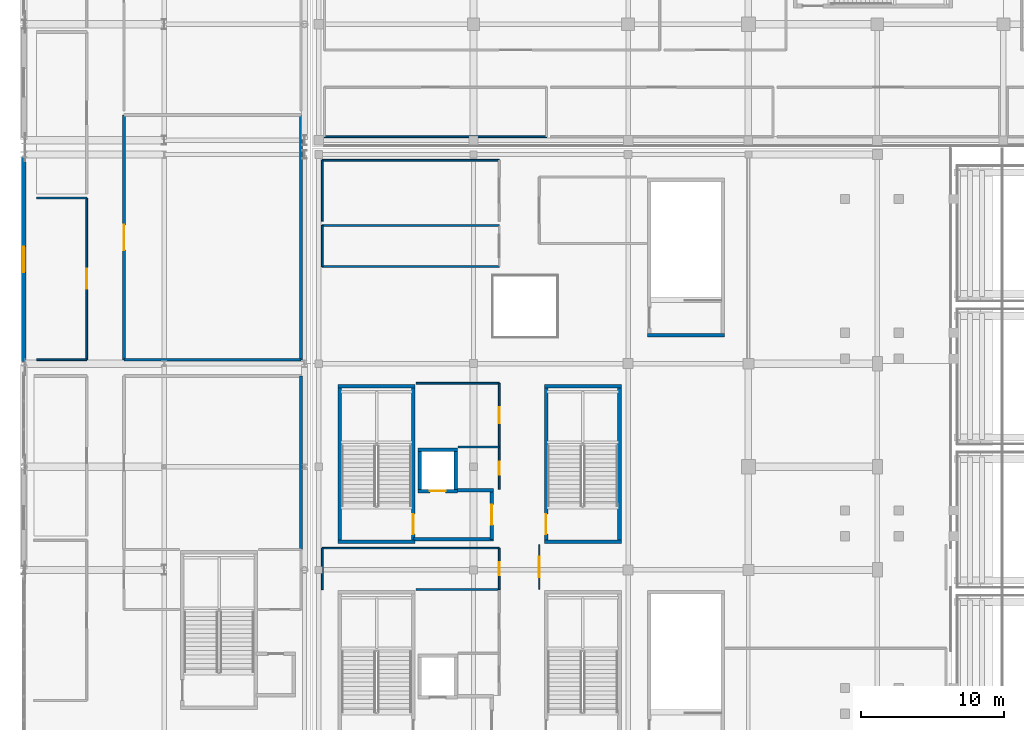
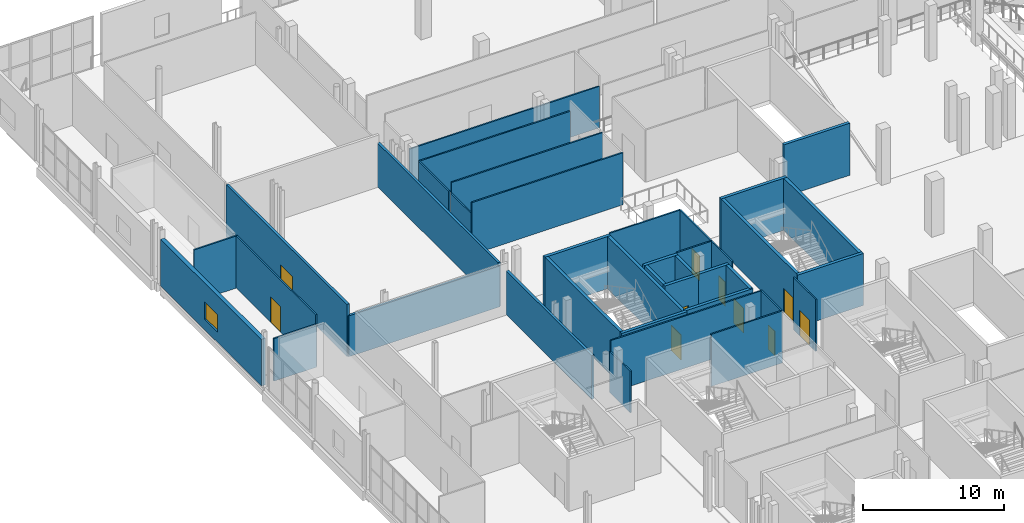
# One storey, part 76 of 129: 39 walls, 10 doors, 1 window, 11 openings.
"""IFC4 building model written with IfcOpenShell, lengths in metres."""

from ifc_helpers import new_model, si_unit, direction, frame, frame_2d, origin, place, context, subcontext, project, spatial, rectangle, extrude, material, layer, layer_set, type_object, element, fill, save


model = new_model("IFC4")

# Units and contexts
model_context = context("Model", 3, precision=1e-05, world=origin(), true_north=direction((0.0, 1.0)))
body_context = subcontext(model_context, "Body", "Model", "MODEL_VIEW")
ifc_project = project(units=[si_unit("LENGTHUNIT", "METRE"), si_unit("AREAUNIT", "SQUARE_METRE"), si_unit("VOLUMEUNIT", "CUBIC_METRE"), si_unit("PLANEANGLEUNIT", "RADIAN"), si_unit("MASSUNIT", "GRAM", prefix="KILO")], contexts=[model_context])

# Site, building, storey
site_placement = place(None, origin())
site = spatial("IfcSite", under=ifc_project, at=site_placement, CompositionType="ELEMENT")
building_placement = place(site_placement, origin())
building = spatial("IfcBuilding", under=site, at=building_placement, Name="Koshinbarg Plaza Stadium", CompositionType="ELEMENT")
storey_placement = place(building_placement, frame((0.0, 0.0, 5.39990234375)))
storey = spatial("IfcBuildingStorey", under=building, at=storey_placement, Name="L01", CompositionType="ELEMENT", Elevation=5.39990234375)

# Walls
ifc_material_1 = material(Name="Concrete C40/50", Category="concrete")
ifc_layer_1 = layer(ifc_material_1, 0.25)
ifc_layer_set_1 = layer_set([ifc_layer_1], Name="Concrete C40/50")
wall_type_1 = type_object("IfcWallType", Name="WL-CORE-250", PredefinedType="SHEAR", material=ifc_layer_set_1)
for number, where, z_axis, x_axis, name in (
    (1, (25.949951171875, 99.47509765625, 0.0), (0.0, 0.0, 1.0), (1.0, 0.0, 0.0), "L01 core stair shear wall C06-near IWL-L01-0138"),
    (2, (31.320068359375, 110.324951171875, 0.0), (0.0, 0.0, 1.0), (-1.0, 0.0, 0.0), "L01 core stair shear wall C06-far IWL-L01-0139"),
):
    element("IfcWall", number, at=place(storey_placement, frame(where, z_axis=z_axis, x_axis=x_axis)), inside=storey, type_object=wall_type_1, Name=name, PredefinedType="SHEAR", context=body_context, shape_type="SweptSolid", body=[
        extrude(rectangle(XDim=5.3701171875, YDim=0.25, at=frame_2d((2.68505859375, 0.0))), origin(), (0.0, 0.0, 1.0), 4.5),
    ])
wall_1_placement = place(storey_placement, frame((26.074951171875, 99.47509765625, 0.0), z_axis=(0.0, 0.0, 1.0), x_axis=(0.0, 1.0, 0.0)))
element("IfcWall", 3, at=wall_1_placement, inside=storey, type_object=wall_type_1, Name="L01 core stair shear wall C06-left IWL-L01-0140", PredefinedType="SHEAR", context=body_context, shape_type="SweptSolid", body=[
    extrude(rectangle(XDim=10.849853515625, YDim=0.25, at=frame_2d((5.4248046875, 0.0))), origin(), (0.0, 0.0, 1.0), 4.5),
])

# Wall, opening, door
wall_2_placement = place(storey_placement, frame((31.195068359375, 99.47509765625, 0.0), z_axis=(0.0, 0.0, 1.0), x_axis=(0.0, 1.0, 0.0)))
wall_2 = element("IfcWall", 4, at=wall_2_placement, inside=storey, type_object=wall_type_1, Name="L01 core stair shear wall C06-right IWL-L01-0141", PredefinedType="SHEAR", context=body_context, shape_type="SweptSolid", body=[
    extrude(rectangle(XDim=10.849853515625, YDim=0.25, at=frame_2d((5.4248046875, 0.0))), origin(), (0.0, 0.0, 1.0), 4.5),
])
opening_1_placement = place(wall_2_placement, frame((0.52001953125, 0.0, 0.0)))
opening_1 = element("IfcOpeningElement", 5, at=opening_1_placement, cuts=wall_2, Name="Opening D-0097", PredefinedType="OPENING", context=body_context, shape_type="SweptSolid", body=[
    extrude(rectangle(XDim=1.39990234375, YDim=2.14990234375, at=frame_2d((0.699951171875, 1.074951171875))), frame((0.0, 0.135009765625, 0.0), z_axis=(0.0, -1.0, 0.0), x_axis=(1.0, 0.0, 0.0)), (0.0, 0.0, 1.0), 0.27001953125),
])
ifc_material_2 = material(Name="Painted galvanized steel fire door", Category="steel")
door_type_1 = type_object("IfcDoorType", Name="DR-STAIR-1400", OperationType="NOTDEFINED", PredefinedType="DOOR", material=ifc_material_2)
door_1_placement = place(opening_1_placement, origin())
door_1 = element("IfcDoor", 6, at=door_1_placement, inside=storey, type_object=door_type_1, Name="L01 exit stair door C06", OperationType="SINGLE_SWING_RIGHT", OverallHeight=2.14990234375, OverallWidth=1.39990234375, PredefinedType="DOOR", context=body_context, shape_type="SweptSolid", body=[
    extrude(rectangle(XDim=1.39990234375, YDim=2.14990234375, at=frame_2d((0.699951171875, 1.074951171875))), frame((0.0, 0.02490234375, 0.0), z_axis=(0.0, -1.0, 0.0), x_axis=(1.0, 0.0, 0.0)), (0.0, 0.0, 1.0), 0.050048828125),
])
fill(opening_1, door_1)

# Walls
for number, where, z_axis, x_axis, name in (
    (7, (40.35009765625, 99.47509765625, 0.0), (0.0, 0.0, 1.0), (1.0, 0.0, 0.0), "L01 vomitory stair shear wall VX06-near IWL-L01-0438"),
    (8, (45.719970703125, 110.324951171875, 0.0), (0.0, 0.0, 1.0), (-1.0, 0.0, 0.0), "L01 vomitory stair shear wall VX06-far IWL-L01-0439"),
):
    element("IfcWall", number, at=place(storey_placement, frame(where, z_axis=z_axis, x_axis=x_axis)), inside=storey, type_object=wall_type_1, Name=name, PredefinedType="SHEAR", context=body_context, shape_type="SweptSolid", body=[
        extrude(rectangle(XDim=5.369873046875, YDim=0.25, at=frame_2d((2.68505859375, 0.0))), origin(), (0.0, 0.0, 1.0), 4.5),
    ])

# Wall, opening, door
wall_3_placement = place(storey_placement, frame((40.47509765625, 99.47509765625, 0.0), z_axis=(0.0, 0.0, 1.0), x_axis=(0.0, 1.0, 0.0)))
wall_3 = element("IfcWall", 9, at=wall_3_placement, inside=storey, type_object=wall_type_1, Name="L01 vomitory stair shear wall VX06-left IWL-L01-0440", PredefinedType="SHEAR", context=body_context, shape_type="SweptSolid", body=[
    extrude(rectangle(XDim=10.849853515625, YDim=0.25, at=frame_2d((5.4248046875, 0.0))), origin(), (0.0, 0.0, 1.0), 4.5),
])
opening_2_placement = place(wall_3_placement, frame((0.52001953125, 0.0, 0.0)))
opening_2 = element("IfcOpeningElement", 10, at=opening_2_placement, cuts=wall_3, Name="Opening D-0172", PredefinedType="OPENING", context=body_context, shape_type="SweptSolid", body=[
    extrude(rectangle(XDim=1.39990234375, YDim=2.14990234375, at=frame_2d((0.699951171875, 1.074951171875))), frame((0.0, 0.135009765625, 0.0), z_axis=(0.0, -1.0, 0.0), x_axis=(1.0, 0.0, 0.0)), (0.0, 0.0, 1.0), 0.27001953125),
])
door_2_placement = place(opening_2_placement, frame((1.39990234375, 0.0, 0.0), z_axis=(0.0, 0.0, 1.0), x_axis=(-1.0, 0.0, 0.0)))
door_2 = element("IfcDoor", 11, at=door_2_placement, inside=storey, type_object=door_type_1, Name="L01 vomitory exit stair door VX06", OperationType="SINGLE_SWING_RIGHT", OverallHeight=2.14990234375, OverallWidth=1.39990234375, PredefinedType="DOOR", context=body_context, shape_type="SweptSolid", body=[
    extrude(rectangle(XDim=1.39990234375, YDim=2.14990234375, at=frame_2d((0.699951171875, 1.074951171875))), frame((0.0, 0.02490234375, 0.0), z_axis=(0.0, -1.0, 0.0), x_axis=(1.0, 0.0, 0.0)), (0.0, 0.0, 1.0), 0.050048828125),
])
fill(opening_2, door_2)

# Walls
wall_4_placement = place(storey_placement, frame((45.594970703125, 99.47509765625, 0.0), z_axis=(0.0, 0.0, 1.0), x_axis=(0.0, 1.0, 0.0)))
element("IfcWall", 12, at=wall_4_placement, inside=storey, type_object=wall_type_1, Name="L01 vomitory stair shear wall VX06-right IWL-L01-0441", PredefinedType="SHEAR", context=body_context, shape_type="SweptSolid", body=[
    extrude(rectangle(XDim=10.849853515625, YDim=0.25, at=frame_2d((5.4248046875, 0.0))), origin(), (0.0, 0.0, 1.0), 4.5),
])
wall_5_placement = place(storey_placement, frame((47.550048828125, 113.875, 0.0), z_axis=(0.0, 0.0, 1.0), x_axis=(1.0, 0.0, 0.0)))
element("IfcWall", 13, at=wall_5_placement, inside=storey, type_object=wall_type_1, Name="L01 vomitory stair shear wall VL04-near IWL-L01-0574", PredefinedType="SHEAR", context=body_context, shape_type="SweptSolid", body=[
    extrude(rectangle(XDim=5.369873046875, YDim=0.25, at=frame_2d((2.68505859375, 0.0))), origin(), (0.0, 0.0, 1.0), 4.5),
])

# Wall, opening, door
wall_6_placement = place(storey_placement, frame((31.52490234375, 103.0, 0.0), z_axis=(0.0, 0.0, 1.0), x_axis=(1.0, 0.0, 0.0)))
wall_6 = element("IfcWall", 14, at=wall_6_placement, inside=storey, type_object=wall_type_1, Name="L01 lift shaft shear wall FL04-S IWL-L01-0820", PredefinedType="SHEAR", context=body_context, shape_type="SweptSolid", body=[
    extrude(rectangle(XDim=2.75, YDim=0.25, at=frame_2d((1.375, 0.0))), origin(), (0.0, 0.0, 1.0), 4.5),
])
opening_3_placement = place(wall_6_placement, frame((0.824951171875, 0.0, 0.0)))
opening_3 = element("IfcOpeningElement", 15, at=opening_3_placement, cuts=wall_6, Name="Opening D-0273", PredefinedType="OPENING", context=body_context, shape_type="SweptSolid", body=[
    extrude(rectangle(XDim=1.10009765625, YDim=2.14990234375, at=frame_2d((0.550048828125, 1.074951171875))), frame((0.0, 0.135009765625, 0.0), z_axis=(0.0, -1.0, 0.0), x_axis=(1.0, 0.0, 0.0)), (0.0, 0.0, 1.0), 0.27001953125),
])
ifc_material_3 = material(Name="Brushed stainless steel sliding lift landing door", Category="steel")
door_type_2 = type_object("IfcDoorType", Name="DR-LIFT-1100", OperationType="NOTDEFINED", PredefinedType="DOOR", material=ifc_material_3)
door_3_placement = place(opening_3_placement, origin())
door_3 = element("IfcDoor", 16, at=door_3_placement, inside=storey, type_object=door_type_2, Name="L01 lift landing door FL04", OperationType="SLIDING_TO_LEFT", OverallHeight=2.14990234375, OverallWidth=1.10009765625, PredefinedType="DOOR", context=body_context, shape_type="SweptSolid", body=[
    extrude(rectangle(XDim=1.10009765625, YDim=2.14990234375, at=frame_2d((0.550048828125, 1.074951171875))), frame((0.0, 0.02490234375, 0.0), z_axis=(0.0, -1.0, 0.0), x_axis=(1.0, 0.0, 0.0)), (0.0, 0.0, 1.0), 0.050048828125),
])
fill(opening_3, door_3)

# Walls
wall_7_placement = place(storey_placement, frame((34.27490234375, 105.89990234375, 0.0), z_axis=(0.0, 0.0, 1.0), x_axis=(-1.0, 0.0, 0.0)))
element("IfcWall", 17, at=wall_7_placement, inside=storey, type_object=wall_type_1, Name="L01 lift shaft shear wall FL04-N IWL-L01-0821", PredefinedType="SHEAR", context=body_context, shape_type="SweptSolid", body=[
    extrude(rectangle(XDim=2.75, YDim=0.25, at=frame_2d((1.375, 0.0))), origin(), (0.0, 0.0, 1.0), 4.5),
])
for number, where, z_axis, x_axis, name in (
    (18, (31.64990234375, 105.89990234375, 0.0), (0.0, 0.0, 1.0), (0.0, -1.0, 0.0), "L01 lift shaft shear wall FL04-W IWL-L01-0822"),
    (19, (34.14990234375, 103.0, 0.0), (0.0, 0.0, 1.0), (0.0, 1.0, 0.0), "L01 lift shaft shear wall FL04-E IWL-L01-0823"),
):
    element("IfcWall", number, at=place(storey_placement, frame(where, z_axis=z_axis, x_axis=x_axis)), inside=storey, type_object=wall_type_1, Name=name, PredefinedType="SHEAR", context=body_context, shape_type="SweptSolid", body=[
        extrude(rectangle(XDim=2.89990234375, YDim=0.25, at=frame_2d((1.449951171875, 0.0))), origin(), (0.0, 0.0, 1.0), 4.5),
    ])

# Wall, opening, door
wall_8_placement = place(storey_placement, frame((36.675048828125, 99.625, 0.0), z_axis=(0.0, 0.0, 1.0), x_axis=(0.0, 1.0, 0.0)))
wall_8 = element("IfcWall", 20, at=wall_8_placement, inside=storey, type_object=wall_type_1, Name="L01 firefighting lobby wall C06-E IWL-L01-0824", PredefinedType="SHEAR", context=body_context, shape_type="SweptSolid", body=[
    extrude(rectangle(XDim=3.449951171875, YDim=0.25, at=frame_2d((1.72509765625, 0.0))), origin(), (0.0, 0.0, 1.0), 4.5),
])
opening_4_placement = place(wall_8_placement, frame((1.02490234375, 0.0, 0.0)))
opening_4 = element("IfcOpeningElement", 21, at=opening_4_placement, cuts=wall_8, Name="Opening D-0274", PredefinedType="OPENING", context=body_context, shape_type="SweptSolid", body=[
    extrude(rectangle(XDim=1.39990234375, YDim=2.14990234375, at=frame_2d((0.699951171875, 1.074951171875))), frame((0.0, 0.135009765625, 0.0), z_axis=(0.0, -1.0, 0.0), x_axis=(1.0, 0.0, 0.0)), (0.0, 0.0, 1.0), 0.27001953125),
])
ifc_material_4 = material(Name="Smoke-sealed steel firefighting lobby door", Category="steel")
door_type_3 = type_object("IfcDoorType", Name="DR-FFLOB-1400", OperationType="NOTDEFINED", PredefinedType="DOOR", material=ifc_material_4)
door_4_placement = place(opening_4_placement, origin())
door_4 = element("IfcDoor", 22, at=door_4_placement, inside=storey, type_object=door_type_3, Name="L01 firefighting lobby fire door C06", OperationType="DOUBLE_DOOR_SINGLE_SWING", OverallHeight=2.14990234375, OverallWidth=1.39990234375, PredefinedType="DOOR", context=body_context, shape_type="SweptSolid", body=[
    extrude(rectangle(XDim=1.39990234375, YDim=2.14990234375, at=frame_2d((0.699951171875, 1.074951171875))), frame((0.0, 0.02490234375, 0.0), z_axis=(0.0, -1.0, 0.0), x_axis=(1.0, 0.0, 0.0)), (0.0, 0.0, 1.0), 0.050048828125),
])
fill(opening_4, door_4)

# Walls
wall_9_placement = place(storey_placement, frame((34.27490234375, 103.074951171875, 0.0), z_axis=(0.0, 0.0, 1.0), x_axis=(1.0, 0.0, 0.0)))
element("IfcWall", 23, at=wall_9_placement, inside=storey, type_object=wall_type_1, Name="L01 firefighting lobby wall C06-NE IWL-L01-0825", PredefinedType="SHEAR", context=body_context, shape_type="SweptSolid", body=[
    extrude(rectangle(XDim=2.525146484375, YDim=0.25, at=frame_2d((1.2626953125, 0.0))), origin(), (0.0, 0.0, 1.0), 4.5),
])
wall_10_placement = place(storey_placement, frame((31.199951171875, 99.625, 0.0), z_axis=(0.0, 0.0, 1.0), x_axis=(1.0, 0.0, 0.0)))
element("IfcWall", 24, at=wall_10_placement, inside=storey, type_object=wall_type_1, Name="L01 firefighting lobby wall C06-S IWL-L01-0826", PredefinedType="SHEAR", context=body_context, shape_type="SweptSolid", body=[
    extrude(rectangle(XDim=5.60009765625, YDim=0.25, at=frame_2d((2.800048828125, 0.0))), origin(), (0.0, 0.0, 1.0), 4.5),
])

# Wall, opening, window
ifc_material_5 = material(Name="Ultramarine-blue pigmented mineral plaster facade wall", Category="masonry")
ifc_layer_2 = layer(ifc_material_5, 0.320068359375)
ifc_layer_set_2 = layer_set([ifc_layer_2], Name="Ultramarine-blue pigmented mineral plaster facade wall")
wall_type_2 = type_object("IfcWallType", Name="WL-EXT-320", PredefinedType="SOLIDWALL", material=ifc_layer_set_2)
wall_11_placement = place(storey_placement, frame((4.0, 112.044921875, 0.0), z_axis=(0.0, 0.0, 1.0), x_axis=(0.0, 1.0, 0.0)))
wall_11 = element("IfcWall", 25, at=wall_11_placement, inside=storey, type_object=wall_type_2, Name="L01 exterior envelope wall EWL-L01-0078", PredefinedType="SOLIDWALL", context=body_context, shape_type="SweptSolid", body=[
    extrude(rectangle(XDim=14.27001953125, YDim=0.320068359375, at=frame_2d((7.135009765625, 0.0))), origin(), (0.0, 0.0, 1.0), 4.030029296875),
])
opening_5_placement = place(wall_11_placement, frame((6.235107421875, 0.0, 0.89990234375)))
opening_5 = element("IfcOpeningElement", 26, at=opening_5_placement, cuts=wall_11, Name="Opening WN04", PredefinedType="OPENING", context=body_context, shape_type="SweptSolid", body=[
    extrude(rectangle(XDim=1.800048828125, YDim=1.5, at=frame_2d((0.89990234375, 0.75))), frame((0.0, 0.169921875, 0.0), z_axis=(0.0, -1.0, 0.0), x_axis=(1.0, 0.0, 0.0)), (0.0, 0.0, 1.0), 0.340087890625),
])
ifc_material_6 = material(Name="Solar-control double glazing in thermally broken aluminium frame", Category="aluminium")
window_type = type_object("IfcWindowType", Name="WN-FAC-04", PartitioningType="DOUBLE_PANEL_VERTICAL", PredefinedType="WINDOW", material=ifc_material_6)
window_placement = place(opening_5_placement, origin())
window = element("IfcWindow", 27, at=window_placement, inside=storey, type_object=window_type, Name="L01 facade window 0020", OverallHeight=1.5, OverallWidth=1.800048828125, PartitioningType="SINGLE_PANEL", PredefinedType="WINDOW", context=body_context, shape_type="SweptSolid", body=[
    extrude(rectangle(XDim=1.800048828125, YDim=1.5, at=frame_2d((0.89990234375, 0.75))), frame((0.0, 0.030029296875, 0.0), z_axis=(0.0, -1.0, 0.0), x_axis=(1.0, 0.0, 0.0)), (0.0, 0.0, 1.0), 0.06005859375),
])
fill(opening_5, window)

# Wall, opening, door
ifc_material_7 = material(Name="Gypsum board metal-stud acoustic partition")
ifc_layer_3 = layer(ifc_material_7, 0.1201171875)
ifc_layer_set_3 = layer_set([ifc_layer_3], Name="Gypsum board metal-stud acoustic partition")
wall_type_3 = type_object("IfcWallType", Name="WL-PART-120", PredefinedType="PARTITIONING", material=ifc_layer_set_3)
wall_12_placement = place(storey_placement, frame((37.199951171875, 96.1298828125, 0.0), z_axis=(0.0, 0.0, 1.0), x_axis=(0.0, 1.0, 0.0)))
wall_12 = element("IfcWall", 28, at=wall_12_placement, inside=storey, type_object=wall_type_3, Name="L01 interior partition L01-88-east IWL-L01-1374", PredefinedType="PARTITIONING", context=body_context, shape_type="SweptSolid", body=[
    extrude(rectangle(XDim=2.888671875, YDim=0.1201171875, at=frame_2d((1.4443359375, 0.0))), origin(), (0.0, 0.0, 1.0), 4.5),
])
opening_6_placement = place(wall_12_placement, frame((0.984375, 0.0, 0.0)))
opening_6 = element("IfcOpeningElement", 29, at=opening_6_placement, cuts=wall_12, Name="Opening D-0454", PredefinedType="OPENING", context=body_context, shape_type="SweptSolid", body=[
    extrude(rectangle(XDim=0.919921875, YDim=2.10009765625, at=frame_2d((0.4599609375, 1.050048828125))), frame((0.0, 0.070068359375, 0.0), z_axis=(0.0, -1.0, 0.0), x_axis=(1.0, 0.0, 0.0)), (0.0, 0.0, 1.0), 0.14013671875),
])
ifc_material_8 = material(Name="Solid-core oak veneer acoustic door")
door_type_4 = type_object("IfcDoorType", Name="DR-INT-0920x2100", OperationType="NOTDEFINED", PredefinedType="DOOR", material=ifc_material_8)
door_5_placement = place(opening_6_placement, origin())
door_5 = element("IfcDoor", 30, at=door_5_placement, inside=storey, type_object=door_type_4, Name="L01 Supporters' Heritage Salon door D-0454", OperationType="SINGLE_SWING_RIGHT", OverallHeight=2.10009765625, OverallWidth=0.919921875, PredefinedType="DOOR", context=body_context, shape_type="SweptSolid", body=[
    extrude(rectangle(XDim=0.919921875, YDim=2.10009765625, at=frame_2d((0.4599609375, 1.050048828125))), frame((0.0, 0.02490234375, 0.0), z_axis=(0.0, -1.0, 0.0), x_axis=(1.0, 0.0, 0.0)), (0.0, 0.0, 1.0), 0.050048828125),
])
fill(opening_6, door_5)

# Walls
wall_13_placement = place(storey_placement, frame((37.199951171875, 99.0185546875, 0.0), z_axis=(0.0, 0.0, 1.0), x_axis=(-1.0, 0.0, 0.0)))
element("IfcWall", 31, at=wall_13_placement, inside=storey, type_object=wall_type_3, Name="L01 interior partition L01-88-north IWL-L01-1375", PredefinedType="PARTITIONING", context=body_context, shape_type="SweptSolid", body=[
    extrude(rectangle(XDim=12.35498046875, YDim=0.1201171875, at=frame_2d((6.177490234375, 0.0))), origin(), (0.0, 0.0, 1.0), 4.5),
])
wall_14_placement = place(storey_placement, frame((24.844970703125, 99.0185546875, 0.0), z_axis=(0.0, 0.0, 1.0), x_axis=(0.0, -1.0, 0.0)))
element("IfcWall", 32, at=wall_14_placement, inside=storey, type_object=wall_type_3, Name="L01 interior partition L01-88-west IWL-L01-1376", PredefinedType="PARTITIONING", context=body_context, shape_type="SweptSolid", body=[
    extrude(rectangle(XDim=2.888671875, YDim=0.1201171875, at=frame_2d((1.4443359375, 0.0))), origin(), (0.0, 0.0, 1.0), 3.580078125),
])
wall_15_placement = place(storey_placement, frame((37.199951171875, 96.1298828125, 0.0), z_axis=(0.0, 0.0, 1.0), x_axis=(-1.0, 0.0, 0.0)))
element("IfcWall", 33, at=wall_15_placement, inside=storey, type_object=wall_type_3, Name="L01 interior partition L01-89-north IWL-L01-1378", PredefinedType="PARTITIONING", context=body_context, shape_type="SweptSolid", body=[
    extrude(rectangle(XDim=5.800048828125, YDim=0.1201171875, at=frame_2d((2.89990234375, 0.0))), origin(), (0.0, 0.0, 1.0), 4.5),
])

# Wall, opening, door
wall_16_placement = place(storey_placement, frame((37.199951171875, 106.080078125, 0.0), z_axis=(0.0, 0.0, 1.0), x_axis=(0.0, 1.0, 0.0)))
wall_16 = element("IfcWall", 34, at=wall_16_placement, inside=storey, type_object=wall_type_3, Name="L01 interior partition L01-91-east IWL-L01-1381", PredefinedType="PARTITIONING", context=body_context, shape_type="SweptSolid", body=[
    extrude(rectangle(XDim=4.449951171875, YDim=0.1201171875, at=frame_2d((2.22509765625, 0.0))), origin(), (0.0, 0.0, 1.0), 4.5),
])
opening_7_placement = place(wall_16_placement, frame((1.6650390625, 0.0, 0.0)))
opening_7 = element("IfcOpeningElement", 35, at=opening_7_placement, cuts=wall_16, Name="Opening D-0457", PredefinedType="OPENING", context=body_context, shape_type="SweptSolid", body=[
    extrude(rectangle(XDim=1.1201171875, YDim=2.14990234375, at=frame_2d((0.56005859375, 1.074951171875))), frame((0.0, 0.070068359375, 0.0), z_axis=(0.0, -1.0, 0.0), x_axis=(1.0, 0.0, 0.0)), (0.0, 0.0, 1.0), 0.14013671875),
])
ifc_material_9 = material(Name="Acoustic timber broadcast studio door", Category="wood")
door_type_5 = type_object("IfcDoorType", Name="DR-INT-1120x2150", OperationType="NOTDEFINED", PredefinedType="DOOR", material=ifc_material_9)
door_6_placement = place(opening_7_placement, origin())
door_6 = element("IfcDoor", 36, at=door_6_placement, inside=storey, type_object=door_type_5, Name="L01 Lower Public Concourse door D-0457", OperationType="SINGLE_SWING_LEFT", OverallHeight=2.14990234375, OverallWidth=1.1201171875, PredefinedType="DOOR", context=body_context, shape_type="SweptSolid", body=[
    extrude(rectangle(XDim=1.1201171875, YDim=2.14990234375, at=frame_2d((0.56005859375, 1.074951171875))), frame((0.0, 0.02490234375, 0.0), z_axis=(0.0, -1.0, 0.0), x_axis=(1.0, 0.0, 0.0)), (0.0, 0.0, 1.0), 0.050048828125),
])
fill(opening_7, door_6)

# Wall
wall_17_placement = place(storey_placement, frame((37.199951171875, 110.530029296875, 0.0), z_axis=(0.0, 0.0, 1.0), x_axis=(-1.0, 0.0, 0.0)))
element("IfcWall", 37, at=wall_17_placement, inside=storey, type_object=wall_type_3, Name="L01 interior partition L01-91-north IWL-L01-1382", PredefinedType="PARTITIONING", context=body_context, shape_type="SweptSolid", body=[
    extrude(rectangle(XDim=5.800048828125, YDim=0.1201171875, at=frame_2d((2.89990234375, 0.0))), origin(), (0.0, 0.0, 1.0), 4.5),
])

# Wall, opening, door
wall_18_placement = place(storey_placement, frame((37.199951171875, 103.1298828125, 0.0), z_axis=(0.0, 0.0, 1.0), x_axis=(0.0, 1.0, 0.0)))
wall_18 = element("IfcWall", 38, at=wall_18_placement, inside=storey, type_object=wall_type_3, Name="L01 interior partition L01-92-east IWL-L01-1383", PredefinedType="PARTITIONING", context=body_context, shape_type="SweptSolid", body=[
    extrude(rectangle(XDim=2.9501953125, YDim=0.1201171875, at=frame_2d((1.47509765625, 0.0))), origin(), (0.0, 0.0, 1.0), 4.5),
])
opening_8_placement = place(wall_18_placement, frame((1.014892578125, 0.0, 0.0)))
opening_8 = element("IfcOpeningElement", 39, at=opening_8_placement, cuts=wall_18, Name="Opening D-0458", PredefinedType="OPENING", context=body_context, shape_type="SweptSolid", body=[
    extrude(rectangle(XDim=0.919921875, YDim=2.10009765625, at=frame_2d((0.4599609375, 1.050048828125))), frame((0.0, 0.070068359375, 0.0), z_axis=(0.0, -1.0, 0.0), x_axis=(1.0, 0.0, 0.0)), (0.0, 0.0, 1.0), 0.14013671875),
])
door_7_placement = place(opening_8_placement, origin())
door_7 = element("IfcDoor", 40, at=door_7_placement, inside=storey, type_object=door_type_4, Name="L01 Supporters' Club Lounge door D-0458", OperationType="SINGLE_SWING_RIGHT", OverallHeight=2.10009765625, OverallWidth=0.919921875, PredefinedType="DOOR", context=body_context, shape_type="SweptSolid", body=[
    extrude(rectangle(XDim=0.919921875, YDim=2.10009765625, at=frame_2d((0.4599609375, 1.050048828125))), frame((0.0, 0.02490234375, 0.0), z_axis=(0.0, -1.0, 0.0), x_axis=(1.0, 0.0, 0.0)), (0.0, 0.0, 1.0), 0.050048828125),
])
fill(opening_8, door_7)

# Wall
wall_19_placement = place(storey_placement, frame((37.199951171875, 106.080078125, 0.0), z_axis=(0.0, 0.0, 1.0), x_axis=(-1.0, 0.0, 0.0)))
element("IfcWall", 41, at=wall_19_placement, inside=storey, type_object=wall_type_3, Name="L01 interior partition L01-92-north IWL-L01-1384", PredefinedType="PARTITIONING", context=body_context, shape_type="SweptSolid", body=[
    extrude(rectangle(XDim=2.869873046875, YDim=0.1201171875, at=frame_2d((1.43505859375, 0.0))), origin(), (0.0, 0.0, 1.0), 4.5),
])

# Wall, opening, door
wall_20_placement = place(storey_placement, frame((40.0, 99.27001953125, 0.0), z_axis=(0.0, 0.0, 1.0), x_axis=(0.0, -1.0, 0.0)))
wall_20 = element("IfcWall", 42, at=wall_20_placement, inside=storey, type_object=wall_type_3, Name="L01 interior partition L01-94-west IWL-L01-1389", PredefinedType="PARTITIONING", context=body_context, shape_type="SweptSolid", body=[
    extrude(rectangle(XDim=3.14013671875, YDim=0.1201171875, at=frame_2d((1.570068359375, 0.0))), origin(), (0.0, 0.0, 1.0), 4.5),
])
opening_9_placement = place(wall_20_placement, frame((0.8701171875, 0.0, 0.0)))
opening_9 = element("IfcOpeningElement", 43, at=opening_9_placement, cuts=wall_20, Name="Opening D-0460", PredefinedType="OPENING", context=body_context, shape_type="SweptSolid", body=[
    extrude(rectangle(XDim=1.39990234375, YDim=2.199951171875, at=frame_2d((0.699951171875, 1.10009765625))), frame((0.0, 0.070068359375, 0.0), z_axis=(0.0, -1.0, 0.0), x_axis=(1.0, 0.0, 0.0)), (0.0, 0.0, 1.0), 0.14013671875),
])
ifc_material_10 = material(Name="Stainless-clad solid-core timber double fire door", Category="wood")
door_type_6 = type_object("IfcDoorType", Name="DR-INT-1400x2200", OperationType="NOTDEFINED", PredefinedType="DOOR", material=ifc_material_10)
door_8_placement = place(opening_9_placement, origin())
door_8 = element("IfcDoor", 44, at=door_8_placement, inside=storey, type_object=door_type_6, Name="L01 Supporters' Club Lounge door D-0460", OperationType="DOUBLE_DOOR_SINGLE_SWING", OverallHeight=2.199951171875, OverallWidth=1.39990234375, PredefinedType="DOOR", context=body_context, shape_type="SweptSolid", body=[
    extrude(rectangle(XDim=1.39990234375, YDim=2.199951171875, at=frame_2d((0.699951171875, 1.10009765625))), frame((0.0, 0.02490234375, 0.0), z_axis=(0.0, -1.0, 0.0), x_axis=(1.0, 0.0, 0.0)), (0.0, 0.0, 1.0), 0.050048828125),
])
fill(opening_9, door_8)

# Walls
for number, where, z_axis, x_axis, name in (
    (45, (24.844970703125, 118.679931640625, 0.0), (0.0, 0.0, 1.0), (1.0, 0.0, 0.0), "L01 interior partition L01-95-south IWL-L01-1390"),
    (46, (37.199951171875, 121.5498046875, 0.0), (0.0, 0.0, 1.0), (-1.0, 0.0, 0.0), "L01 interior partition L01-95-north IWL-L01-1392"),
):
    element("IfcWall", number, at=place(storey_placement, frame(where, z_axis=z_axis, x_axis=x_axis)), inside=storey, type_object=wall_type_3, Name=name, PredefinedType="PARTITIONING", context=body_context, shape_type="SweptSolid", body=[
        extrude(rectangle(XDim=12.35498046875, YDim=0.1201171875, at=frame_2d((6.177490234375, 0.0))), origin(), (0.0, 0.0, 1.0), 4.5),
    ])
wall_21_placement = place(storey_placement, frame((24.844970703125, 121.5498046875, 0.0), z_axis=(0.0, 0.0, 1.0), x_axis=(0.0, -1.0, 0.0)))
element("IfcWall", 47, at=wall_21_placement, inside=storey, type_object=wall_type_3, Name="L01 interior partition L01-95-west IWL-L01-1393", PredefinedType="PARTITIONING", context=body_context, shape_type="SweptSolid", body=[
    extrude(rectangle(XDim=2.869873046875, YDim=0.1201171875, at=frame_2d((1.43505859375, 0.0))), origin(), (0.0, 0.0, 1.0), 3.580078125),
])
wall_22_placement = place(storey_placement, frame((37.199951171875, 126.10498046875, 0.0), z_axis=(0.0, 0.0, 1.0), x_axis=(-1.0, 0.0, 0.0)))
element("IfcWall", 48, at=wall_22_placement, inside=storey, type_object=wall_type_3, Name="L01 interior partition L01-96-north IWL-L01-1395", PredefinedType="PARTITIONING", context=body_context, shape_type="SweptSolid", body=[
    extrude(rectangle(XDim=12.35498046875, YDim=0.1201171875, at=frame_2d((6.177490234375, 0.0))), origin(), (0.0, 0.0, 1.0), 3.580078125),
])
wall_23_placement = place(storey_placement, frame((24.844970703125, 126.10498046875, 0.0), z_axis=(0.0, 0.0, 1.0), x_axis=(0.0, -1.0, 0.0)))
element("IfcWall", 49, at=wall_23_placement, inside=storey, type_object=wall_type_3, Name="L01 interior partition L01-96-west IWL-L01-1396", PredefinedType="PARTITIONING", context=body_context, shape_type="SweptSolid", body=[
    extrude(rectangle(XDim=4.255126953125, YDim=0.1201171875, at=frame_2d((2.12744140625, 0.0))), origin(), (0.0, 0.0, 1.0), 3.580078125),
])
wall_24_placement = place(storey_placement, frame((24.9951171875, 127.7451171875, 0.0), z_axis=(0.0, 0.0, 1.0), x_axis=(1.0, 0.0, 0.0)))
element("IfcWall", 50, at=wall_24_placement, inside=storey, type_object=wall_type_3, Name="L01 interior partition L01-115-south IWL-L01-1443", PredefinedType="PARTITIONING", context=body_context, shape_type="SweptSolid", body=[
    extrude(rectangle(XDim=15.511474609375, YDim=0.1201171875, at=frame_2d((7.755859375, 0.0))), origin(), (0.0, 0.0, 1.0), 3.580078125),
])
wall_25_placement = place(storey_placement, frame((4.89990234375, 112.169921875, 0.0), z_axis=(0.0, 0.0, 1.0), x_axis=(1.0, 0.0, 0.0)))
element("IfcWall", 51, at=wall_25_placement, inside=storey, type_object=wall_type_3, Name="L01 interior partition L01-162-south IWL-L01-1575", PredefinedType="PARTITIONING", context=body_context, shape_type="SweptSolid", body=[
    extrude(rectangle(XDim=3.5, YDim=0.1201171875, at=frame_2d((1.75, 0.0))), origin(), (0.0, 0.0, 1.0), 3.68017578125),
])

# Wall, opening, door
wall_26_placement = place(storey_placement, frame((8.39990234375, 112.169921875, 0.0), z_axis=(0.0, 0.0, 1.0), x_axis=(0.0, 1.0, 0.0)))
wall_26 = element("IfcWall", 52, at=wall_26_placement, inside=storey, type_object=wall_type_3, Name="L01 interior partition L01-162-east IWL-L01-1576", PredefinedType="PARTITIONING", context=body_context, shape_type="SweptSolid", body=[
    extrude(rectangle(XDim=11.29345703125, YDim=0.1201171875, at=frame_2d((5.646728515625, 0.0))), origin(), (0.0, 0.0, 1.0), 4.5),
])
opening_10_placement = place(wall_26_placement, frame((4.94677734375, 0.0, 0.0)))
opening_10 = element("IfcOpeningElement", 53, at=opening_10_placement, cuts=wall_26, Name="Opening D-0528", PredefinedType="OPENING", context=body_context, shape_type="SweptSolid", body=[
    extrude(rectangle(XDim=1.39990234375, YDim=2.199951171875, at=frame_2d((0.699951171875, 1.10009765625))), frame((0.0, 0.070068359375, 0.0), z_axis=(0.0, -1.0, 0.0), x_axis=(1.0, 0.0, 0.0)), (0.0, 0.0, 1.0), 0.14013671875),
])
door_9_placement = place(opening_10_placement, origin())
door_9 = element("IfcDoor", 54, at=door_9_placement, inside=storey, type_object=door_type_6, Name="L01 Supporters' Cafe Hall door D-0528", OperationType="DOUBLE_DOOR_SINGLE_SWING", OverallHeight=2.199951171875, OverallWidth=1.39990234375, PredefinedType="DOOR", context=body_context, shape_type="SweptSolid", body=[
    extrude(rectangle(XDim=1.39990234375, YDim=2.199951171875, at=frame_2d((0.699951171875, 1.10009765625))), frame((0.0, 0.02490234375, 0.0), z_axis=(0.0, -1.0, 0.0), x_axis=(1.0, 0.0, 0.0)), (0.0, 0.0, 1.0), 0.050048828125),
])
fill(opening_10, door_9)

# Walls
wall_27_placement = place(storey_placement, frame((8.39990234375, 123.46337890625, 0.0), z_axis=(0.0, 0.0, 1.0), x_axis=(-1.0, 0.0, 0.0)))
element("IfcWall", 55, at=wall_27_placement, inside=storey, type_object=wall_type_3, Name="L01 interior partition L01-162-north IWL-L01-1577", PredefinedType="PARTITIONING", context=body_context, shape_type="SweptSolid", body=[
    extrude(rectangle(XDim=3.5, YDim=0.1201171875, at=frame_2d((1.75, 0.0))), origin(), (0.0, 0.0, 1.0), 4.5),
])
ifc_material_11 = material(Name="Autoclaved aerated blockwork fire partition", Category="masonry")
ifc_layer_4 = layer(ifc_material_11, 0.199951171875)
ifc_layer_set_4 = layer_set([ifc_layer_4], Name="Autoclaved aerated blockwork fire partition")
wall_type_4 = type_object("IfcWallType", Name="WL-PART-200", PredefinedType="PARTITIONING", material=ifc_layer_set_4)
wall_28_placement = place(storey_placement, frame((23.35498046875, 98.929931640625, 0.0), z_axis=(0.0, 0.0, 1.0), x_axis=(0.0, 1.0, 0.0)))
element("IfcWall", 56, at=wall_28_placement, inside=storey, type_object=wall_type_4, Name="L01 interior partition L01-159-east IWL-L01-1566", PredefinedType="PARTITIONING", context=body_context, shape_type="SweptSolid", body=[
    extrude(rectangle(XDim=12.1201171875, YDim=0.199951171875, at=frame_2d((6.06005859375, 0.0))), origin(), (0.0, 0.0, 1.0), 3.780029296875),
])
wall_29_placement = place(storey_placement, frame((11.0, 112.169921875, 0.0), z_axis=(0.0, 0.0, 1.0), x_axis=(1.0, 0.0, 0.0)))
element("IfcWall", 57, at=wall_29_placement, inside=storey, type_object=wall_type_4, Name="L01 interior partition L01-165-south IWL-L01-1582", PredefinedType="PARTITIONING", context=body_context, shape_type="SweptSolid", body=[
    extrude(rectangle(XDim=12.35498046875, YDim=0.199951171875, at=frame_2d((6.177490234375, 0.0))), origin(), (0.0, 0.0, 1.0), 3.530029296875),
])
wall_30_placement = place(storey_placement, frame((23.35498046875, 112.169921875, 0.0), z_axis=(0.0, 0.0, 1.0), x_axis=(0.0, 1.0, 0.0)))
element("IfcWall", 58, at=wall_30_placement, inside=storey, type_object=wall_type_4, Name="L01 interior partition L01-165-east IWL-L01-1583", PredefinedType="PARTITIONING", context=body_context, shape_type="SweptSolid", body=[
    extrude(rectangle(XDim=17.090087890625, YDim=0.199951171875, at=frame_2d((8.544921875, 0.0))), origin(), (0.0, 0.0, 1.0), 3.780029296875),
])

# Wall, opening, door
wall_31_placement = place(storey_placement, frame((11.0, 129.260009765625, 0.0), z_axis=(0.0, 0.0, 1.0), x_axis=(0.0, -1.0, 0.0)))
wall_31 = element("IfcWall", 59, at=wall_31_placement, inside=storey, type_object=wall_type_4, Name="L01 interior partition L01-165-west IWL-L01-1585", PredefinedType="PARTITIONING", context=body_context, shape_type="SweptSolid", body=[
    extrude(rectangle(XDim=17.090087890625, YDim=0.199951171875, at=frame_2d((8.544921875, 0.0))), origin(), (0.0, 0.0, 1.0), 4.5),
])
opening_11_placement = place(wall_31_placement, frame((7.6650390625, 0.0, 0.0)))
opening_11 = element("IfcOpeningElement", 60, at=opening_11_placement, cuts=wall_31, Name="Opening D-0531", PredefinedType="OPENING", context=body_context, shape_type="SweptSolid", body=[
    extrude(rectangle(XDim=1.760009765625, YDim=2.25, at=frame_2d((0.8798828125, 1.125))), frame((0.0, 0.10986328125, 0.0), z_axis=(0.0, -1.0, 0.0), x_axis=(1.0, 0.0, 0.0)), (0.0, 0.0, 1.0), 0.219970703125),
])
ifc_material_12 = material(Name="Solid-core oak veneer double swing door")
door_type_7 = type_object("IfcDoorType", Name="DR-INT-1760x2250", OperationType="NOTDEFINED", PredefinedType="DOOR", material=ifc_material_12)
door_10_placement = place(opening_11_placement, origin())
door_10 = element("IfcDoor", 61, at=door_10_placement, inside=storey, type_object=door_type_7, Name="L01 Ticketing Operations Room door D-0531", OperationType="DOUBLE_DOOR_SINGLE_SWING", OverallHeight=2.25, OverallWidth=1.760009765625, PredefinedType="DOOR", context=body_context, shape_type="SweptSolid", body=[
    extrude(rectangle(XDim=1.760009765625, YDim=2.25, at=frame_2d((0.8798828125, 1.125))), frame((0.0, 0.02490234375, 0.0), z_axis=(0.0, -1.0, 0.0), x_axis=(1.0, 0.0, 0.0)), (0.0, 0.0, 1.0), 0.050048828125),
])
fill(opening_11, door_10)

save(model, "model.ifc")
